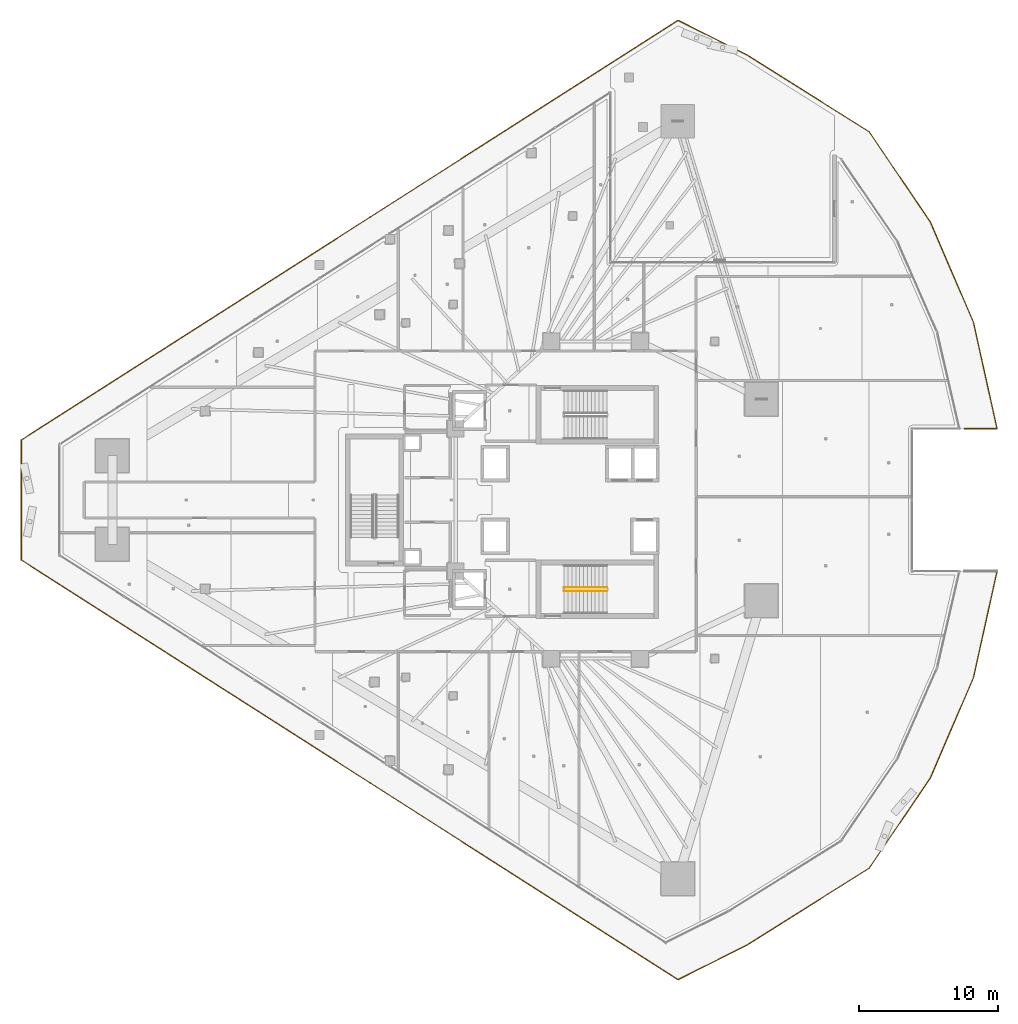
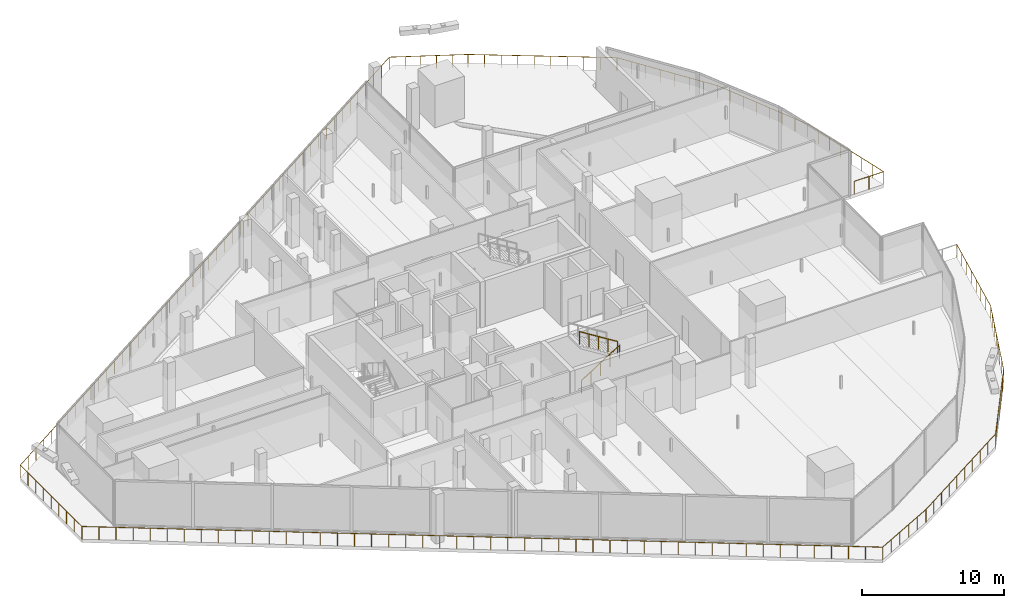
# One storey, part 43 of 47: 3 railings.
"""IFC4 building model written with IfcOpenShell, lengths in metres."""

from ifc_helpers import new_model, si_unit, direction, frame, origin, origin_2d, place, context, subcontext, project, spatial, circle, extrude, material, type_object, element, save


model = new_model("IFC4")

# Units and contexts
model_context = context("Model", 3, precision=1e-05, world=origin(), true_north=direction((0.0, 1.0)))
body_context = subcontext(model_context, "Body", "Model", "MODEL_VIEW")
ifc_project = project(units=[si_unit("LENGTHUNIT", "METRE"), si_unit("AREAUNIT", "SQUARE_METRE"), si_unit("VOLUMEUNIT", "CUBIC_METRE"), si_unit("PLANEANGLEUNIT", "RADIAN"), si_unit("MASSUNIT", "GRAM", prefix="KILO")], contexts=[model_context])

# Site, building, storey
site_placement = place(None, origin())
site = spatial("IfcSite", under=ifc_project, at=site_placement, CompositionType="ELEMENT")
building_placement = place(site_placement, origin())
building = spatial("IfcBuilding", under=site, at=building_placement, Name="Qorvath Tower", CompositionType="ELEMENT")
storey_placement = place(building_placement, frame((0.0, 0.0, 82.800048828125)))
storey = spatial("IfcBuildingStorey", under=building, at=storey_placement, Name="L18", CompositionType="ELEMENT", Elevation=82.800048828125)

# Railings
ifc_material_1 = material(Name="Laminated safety glass and stainless steel AISI 316", Category="steel")
railing_type_1 = type_object("IfcRailingType", Name="RL-EXT-GRD", PredefinedType="GUARDRAIL", material=ifc_material_1)
railing_1_placement = place(storey_placement, frame((8.577392578125, -5.140869140625, 0.0)))
element("IfcRailing", 1, at=railing_1_placement, inside=storey, type_object=railing_type_1, Name="Loggia Perimeter Guardrail L18-1.1", PredefinedType="GUARDRAIL", context=body_context, shape_type="SweptSolid", body=[
    extrude(circle(Radius=0.02392578125, at=origin_2d()), frame((0.0, 0.0, 1.09619140625), z_axis=(-0.216102863676, -0.976370601929, 0.0), x_axis=(0.976370601929, -0.216102863676, 0.0)), (0.0, 0.0, 1.0), 7.8720703125),
    extrude(circle(Radius=0.02392578125, at=origin_2d()), frame((-1.701171875, -7.68603515625, 1.09619140625), z_axis=(-0.395475792028, -0.918476400306, 0.0), x_axis=(0.918476400306, -0.395475792028, 0.0)), (0.0, 0.0, 1.0), 7.872314453125),
    extrude(circle(Radius=0.02392578125, at=origin_2d()), frame((-4.814453125, -14.91650390625, 1.09619140625), z_axis=(-0.560825516193, -0.827934019344, 0.0), x_axis=(0.827934019344, -0.560825516193, 0.0)), (0.0, 0.0, 1.0), 7.872314453125),
    extrude(circle(Radius=0.02392578125, at=origin_2d()), frame((-9.2294921875, -21.434326171875, 1.09619140625), z_axis=(-0.846502624732, -0.532384547411, 0.0), x_axis=(0.532384547411, -0.846502624732, 0.0)), (0.0, 0.0, 1.0), 10.468505859375),
    extrude(circle(Radius=0.02392578125, at=origin_2d()), frame((-18.091064453125, -27.007568359375, 1.09619140625), z_axis=(-0.894427191, -0.4472135955, 0.0), x_axis=(0.4472135955, -0.894427191, 0.0)), (0.0, 0.0, 1.0), 5.529541015625),
    extrude(circle(Radius=0.02392578125, at=origin_2d()), frame((-23.036865234375, -29.48046875, 1.09619140625), z_axis=(-0.84260457515, 0.538532756605, 0.0), x_axis=(-0.538532756605, -0.84260457515, 0.0)), (0.0, 0.0, 1.0), 56.252197265625),
    extrude(circle(Radius=0.02392578125, at=origin_2d()), frame((-70.435302734375, 0.813232421875, 1.09619140625), z_axis=(0.0, 1.0, 0.0), x_axis=(-1.0, 0.0, 0.0)), (0.0, 0.0, 1.0), 8.6552734375),
    extrude(circle(Radius=0.02392578125, at=origin_2d()), frame((-70.435302734375, 9.468505859375, 1.09619140625), z_axis=(0.84260457515, 0.538532756605, 0.0), x_axis=(-0.538532756605, 0.84260457515, 0.0)), (0.0, 0.0, 1.0), 56.252197265625),
    extrude(circle(Radius=0.02392578125, at=origin_2d()), frame((-23.036865234375, 39.76220703125, 1.09619140625), z_axis=(0.894427191, -0.4472135955, 0.0), x_axis=(0.4472135955, 0.894427191, 0.0)), (0.0, 0.0, 1.0), 5.529541015625),
    extrude(circle(Radius=0.02392578125, at=origin_2d()), frame((-18.091064453125, 37.289306640625, 1.09619140625), z_axis=(0.846502624732, -0.532384547411, 0.0), x_axis=(0.532384547411, 0.846502624732, 0.0)), (0.0, 0.0, 1.0), 10.468505859375),
    extrude(circle(Radius=0.02392578125, at=origin_2d()), frame((-9.2294921875, 31.716064453125, 1.09619140625), z_axis=(0.560825516193, -0.827934019344, 0.0), x_axis=(0.827934019344, 0.560825516193, 0.0)), (0.0, 0.0, 1.0), 7.872314453125),
    extrude(circle(Radius=0.02392578125, at=origin_2d()), frame((-4.814453125, 25.1982421875, 1.09619140625), z_axis=(0.395475792028, -0.918476400306, 0.0), x_axis=(0.918476400306, 0.395475792028, 0.0)), (0.0, 0.0, 1.0), 7.872314453125),
    extrude(circle(Radius=0.02392578125, at=origin_2d()), frame((-1.701171875, 17.9677734375, 1.09619140625), z_axis=(0.216102863676, -0.976370601929, 0.0), x_axis=(0.976370601929, 0.216102863676, 0.0)), (0.0, 0.0, 1.0), 7.8720703125),
    extrude(circle(Radius=0.02392578125, at=origin_2d()), frame((0.0, 10.28173828125, 1.09619140625), z_axis=(-1.0, 0.0, 0.0), x_axis=(0.0, -1.0, 0.0)), (0.0, 0.0, 1.0), 2.366455078125),
    extrude(circle(Radius=0.02099609375, at=origin_2d()), origin(), (0.0, 0.0, 1.0), 1.072021484375),
    extrude(circle(Radius=0.02099609375, at=origin_2d()), frame((-0.242919921875, -1.097900390625, 0.0)), (0.0, 0.0, 1.0), 1.072021484375),
    extrude(circle(Radius=0.02099609375, at=origin_2d()), frame((-0.486083984375, -2.196044921875, 0.0)), (0.0, 0.0, 1.0), 1.072021484375),
    extrude(circle(Radius=0.02099609375, at=origin_2d()), frame((-0.72900390625, -3.2939453125, 0.0)), (0.0, 0.0, 1.0), 1.072021484375),
    extrude(circle(Radius=0.02099609375, at=origin_2d()), frame((-0.97216796875, -4.39208984375, 0.0)), (0.0, 0.0, 1.0), 1.072021484375),
    extrude(circle(Radius=0.02099609375, at=origin_2d()), frame((-1.215087890625, -5.489990234375, 0.0)), (0.0, 0.0, 1.0), 1.072021484375),
    extrude(circle(Radius=0.02099609375, at=origin_2d()), frame((-1.458251953125, -6.588134765625, 0.0)), (0.0, 0.0, 1.0), 1.072021484375),
    extrude(circle(Radius=0.02099609375, at=origin_2d()), frame((-1.701171875, -7.68603515625, 0.0)), (0.0, 0.0, 1.0), 1.072021484375),
    extrude(circle(Radius=0.02099609375, at=origin_2d()), frame((-2.14599609375, -8.718994140625, 0.0)), (0.0, 0.0, 1.0), 1.072021484375),
    extrude(circle(Radius=0.02099609375, at=origin_2d()), frame((-2.590576171875, -9.751953125, 0.0)), (0.0, 0.0, 1.0), 1.072021484375),
    extrude(circle(Radius=0.02099609375, at=origin_2d()), frame((-3.035400390625, -10.784912109375, 0.0)), (0.0, 0.0, 1.0), 1.072021484375),
    extrude(circle(Radius=0.02099609375, at=origin_2d()), frame((-3.480224609375, -11.817626953125, 0.0)), (0.0, 0.0, 1.0), 1.072021484375),
    extrude(circle(Radius=0.02099609375, at=origin_2d()), frame((-3.925048828125, -12.8505859375, 0.0)), (0.0, 0.0, 1.0), 1.072021484375),
    extrude(circle(Radius=0.02099609375, at=origin_2d()), frame((-4.36962890625, -13.883544921875, 0.0)), (0.0, 0.0, 1.0), 1.072021484375),
    extrude(circle(Radius=0.02099609375, at=origin_2d()), frame((-4.814453125, -14.91650390625, 0.0)), (0.0, 0.0, 1.0), 1.072021484375),
    extrude(circle(Radius=0.02099609375, at=origin_2d()), frame((-5.445068359375, -15.84765625, 0.0)), (0.0, 0.0, 1.0), 1.072021484375),
    extrude(circle(Radius=0.02099609375, at=origin_2d()), frame((-6.075927734375, -16.77880859375, 0.0)), (0.0, 0.0, 1.0), 1.072021484375),
    extrude(circle(Radius=0.02099609375, at=origin_2d()), frame((-6.70654296875, -17.7099609375, 0.0)), (0.0, 0.0, 1.0), 1.072021484375),
    extrude(circle(Radius=0.02099609375, at=origin_2d()), frame((-7.33740234375, -18.640869140625, 0.0)), (0.0, 0.0, 1.0), 1.072021484375),
    extrude(circle(Radius=0.02099609375, at=origin_2d()), frame((-7.968017578125, -19.572021484375, 0.0)), (0.0, 0.0, 1.0), 1.072021484375),
    extrude(circle(Radius=0.02099609375, at=origin_2d()), frame((-8.598876953125, -20.503173828125, 0.0)), (0.0, 0.0, 1.0), 1.072021484375),
    extrude(circle(Radius=0.02099609375, at=origin_2d()), frame((-9.2294921875, -21.434326171875, 0.0)), (0.0, 0.0, 1.0), 1.072021484375),
    extrude(circle(Radius=0.02099609375, at=origin_2d()), frame((-10.214111328125, -22.053466796875, 0.0)), (0.0, 0.0, 1.0), 1.072021484375),
    extrude(circle(Radius=0.02099609375, at=origin_2d()), frame((-11.19873046875, -22.6728515625, 0.0)), (0.0, 0.0, 1.0), 1.072021484375),
    extrude(circle(Radius=0.02099609375, at=origin_2d()), frame((-12.183349609375, -23.2919921875, 0.0)), (0.0, 0.0, 1.0), 1.072021484375),
    extrude(circle(Radius=0.02099609375, at=origin_2d()), frame((-13.16796875, -23.911376953125, 0.0)), (0.0, 0.0, 1.0), 1.072021484375),
    extrude(circle(Radius=0.02099609375, at=origin_2d()), frame((-14.152587890625, -24.530517578125, 0.0)), (0.0, 0.0, 1.0), 1.072021484375),
    extrude(circle(Radius=0.02099609375, at=origin_2d()), frame((-15.13720703125, -25.14990234375, 0.0)), (0.0, 0.0, 1.0), 1.072021484375),
    extrude(circle(Radius=0.02099609375, at=origin_2d()), frame((-16.121826171875, -25.76904296875, 0.0)), (0.0, 0.0, 1.0), 1.072021484375),
    extrude(circle(Radius=0.02099609375, at=origin_2d()), frame((-17.1064453125, -26.388427734375, 0.0)), (0.0, 0.0, 1.0), 1.072021484375),
    extrude(circle(Radius=0.02099609375, at=origin_2d()), frame((-18.091064453125, -27.007568359375, 0.0)), (0.0, 0.0, 1.0), 1.072021484375),
    extrude(circle(Radius=0.02099609375, at=origin_2d()), frame((-19.080322265625, -27.502197265625, 0.0)), (0.0, 0.0, 1.0), 1.072021484375),
    extrude(circle(Radius=0.02099609375, at=origin_2d()), frame((-20.0693359375, -27.996826171875, 0.0)), (0.0, 0.0, 1.0), 1.072021484375),
    extrude(circle(Radius=0.02099609375, at=origin_2d()), frame((-21.05859375, -28.4912109375, 0.0)), (0.0, 0.0, 1.0), 1.072021484375),
    extrude(circle(Radius=0.02099609375, at=origin_2d()), frame((-22.047607421875, -28.98583984375, 0.0)), (0.0, 0.0, 1.0), 1.072021484375),
    extrude(circle(Radius=0.02099609375, at=origin_2d()), frame((-23.036865234375, -29.48046875, 0.0)), (0.0, 0.0, 1.0), 1.072021484375),
    extrude(circle(Radius=0.02099609375, at=origin_2d()), frame((-24.04541015625, -28.8359375, 0.0)), (0.0, 0.0, 1.0), 1.072021484375),
    extrude(circle(Radius=0.02099609375, at=origin_2d()), frame((-25.0537109375, -28.19140625, 0.0)), (0.0, 0.0, 1.0), 1.072021484375),
    extrude(circle(Radius=0.02099609375, at=origin_2d()), frame((-26.062255859375, -27.546875, 0.0)), (0.0, 0.0, 1.0), 1.072021484375),
    extrude(circle(Radius=0.02099609375, at=origin_2d()), frame((-27.07080078125, -26.90234375, 0.0)), (0.0, 0.0, 1.0), 1.072021484375),
    extrude(circle(Radius=0.02099609375, at=origin_2d()), frame((-28.079345703125, -26.2578125, 0.0)), (0.0, 0.0, 1.0), 1.072021484375),
    extrude(circle(Radius=0.02099609375, at=origin_2d()), frame((-29.087646484375, -25.61328125, 0.0)), (0.0, 0.0, 1.0), 1.072021484375),
    extrude(circle(Radius=0.02099609375, at=origin_2d()), frame((-30.09619140625, -24.96875, 0.0)), (0.0, 0.0, 1.0), 1.072021484375),
    extrude(circle(Radius=0.02099609375, at=origin_2d()), frame((-31.104736328125, -24.323974609375, 0.0)), (0.0, 0.0, 1.0), 1.072021484375),
    extrude(circle(Radius=0.02099609375, at=origin_2d()), frame((-32.11328125, -23.679443359375, 0.0)), (0.0, 0.0, 1.0), 1.072021484375),
    extrude(circle(Radius=0.02099609375, at=origin_2d()), frame((-33.12158203125, -23.034912109375, 0.0)), (0.0, 0.0, 1.0), 1.072021484375),
    extrude(circle(Radius=0.02099609375, at=origin_2d()), frame((-34.130126953125, -22.390380859375, 0.0)), (0.0, 0.0, 1.0), 1.072021484375),
    extrude(circle(Radius=0.02099609375, at=origin_2d()), frame((-35.138671875, -21.745849609375, 0.0)), (0.0, 0.0, 1.0), 1.072021484375),
    extrude(circle(Radius=0.02099609375, at=origin_2d()), frame((-36.14697265625, -21.101318359375, 0.0)), (0.0, 0.0, 1.0), 1.072021484375),
    extrude(circle(Radius=0.02099609375, at=origin_2d()), frame((-37.155517578125, -20.456787109375, 0.0)), (0.0, 0.0, 1.0), 1.072021484375),
    extrude(circle(Radius=0.02099609375, at=origin_2d()), frame((-38.1640625, -19.812255859375, 0.0)), (0.0, 0.0, 1.0), 1.072021484375),
    extrude(circle(Radius=0.02099609375, at=origin_2d()), frame((-39.172607421875, -19.167724609375, 0.0)), (0.0, 0.0, 1.0), 1.072021484375),
    extrude(circle(Radius=0.02099609375, at=origin_2d()), frame((-40.180908203125, -18.523193359375, 0.0)), (0.0, 0.0, 1.0), 1.072021484375),
    extrude(circle(Radius=0.02099609375, at=origin_2d()), frame((-41.189453125, -17.878662109375, 0.0)), (0.0, 0.0, 1.0), 1.072021484375),
    extrude(circle(Radius=0.02099609375, at=origin_2d()), frame((-42.197998046875, -17.234130859375, 0.0)), (0.0, 0.0, 1.0), 1.072021484375),
    extrude(circle(Radius=0.02099609375, at=origin_2d()), frame((-43.206298828125, -16.589599609375, 0.0)), (0.0, 0.0, 1.0), 1.072021484375),
    extrude(circle(Radius=0.02099609375, at=origin_2d()), frame((-44.21484375, -15.945068359375, 0.0)), (0.0, 0.0, 1.0), 1.072021484375),
    extrude(circle(Radius=0.02099609375, at=origin_2d()), frame((-45.223388671875, -15.300537109375, 0.0)), (0.0, 0.0, 1.0), 1.072021484375),
    extrude(circle(Radius=0.02099609375, at=origin_2d()), frame((-46.23193359375, -14.656005859375, 0.0)), (0.0, 0.0, 1.0), 1.072021484375),
    extrude(circle(Radius=0.02099609375, at=origin_2d()), frame((-47.240234375, -14.01123046875, 0.0)), (0.0, 0.0, 1.0), 1.072021484375),
    extrude(circle(Radius=0.02099609375, at=origin_2d()), frame((-48.248779296875, -13.36669921875, 0.0)), (0.0, 0.0, 1.0), 1.072021484375),
    extrude(circle(Radius=0.02099609375, at=origin_2d()), frame((-49.25732421875, -12.72216796875, 0.0)), (0.0, 0.0, 1.0), 1.072021484375),
    extrude(circle(Radius=0.02099609375, at=origin_2d()), frame((-50.265869140625, -12.07763671875, 0.0)), (0.0, 0.0, 1.0), 1.072021484375),
    extrude(circle(Radius=0.02099609375, at=origin_2d()), frame((-51.274169921875, -11.43310546875, 0.0)), (0.0, 0.0, 1.0), 1.072021484375),
    extrude(circle(Radius=0.02099609375, at=origin_2d()), frame((-52.28271484375, -10.78857421875, 0.0)), (0.0, 0.0, 1.0), 1.072021484375),
    extrude(circle(Radius=0.02099609375, at=origin_2d()), frame((-53.291259765625, -10.14404296875, 0.0)), (0.0, 0.0, 1.0), 1.072021484375),
    extrude(circle(Radius=0.02099609375, at=origin_2d()), frame((-54.299560546875, -9.49951171875, 0.0)), (0.0, 0.0, 1.0), 1.072021484375),
    extrude(circle(Radius=0.02099609375, at=origin_2d()), frame((-55.30810546875, -8.85498046875, 0.0)), (0.0, 0.0, 1.0), 1.072021484375),
    extrude(circle(Radius=0.02099609375, at=origin_2d()), frame((-56.316650390625, -8.21044921875, 0.0)), (0.0, 0.0, 1.0), 1.072021484375),
    extrude(circle(Radius=0.02099609375, at=origin_2d()), frame((-57.3251953125, -7.56591796875, 0.0)), (0.0, 0.0, 1.0), 1.072021484375),
    extrude(circle(Radius=0.02099609375, at=origin_2d()), frame((-58.33349609375, -6.92138671875, 0.0)), (0.0, 0.0, 1.0), 1.072021484375),
    extrude(circle(Radius=0.02099609375, at=origin_2d()), frame((-59.342041015625, -6.27685546875, 0.0)), (0.0, 0.0, 1.0), 1.072021484375),
    extrude(circle(Radius=0.02099609375, at=origin_2d()), frame((-60.3505859375, -5.63232421875, 0.0)), (0.0, 0.0, 1.0), 1.072021484375),
    extrude(circle(Radius=0.02099609375, at=origin_2d()), frame((-61.35888671875, -4.98779296875, 0.0)), (0.0, 0.0, 1.0), 1.072021484375),
    extrude(circle(Radius=0.02099609375, at=origin_2d()), frame((-62.367431640625, -4.34326171875, 0.0)), (0.0, 0.0, 1.0), 1.072021484375),
    extrude(circle(Radius=0.02099609375, at=origin_2d()), frame((-63.3759765625, -3.698486328125, 0.0)), (0.0, 0.0, 1.0), 1.072021484375),
    extrude(circle(Radius=0.02099609375, at=origin_2d()), frame((-64.384521484375, -3.053955078125, 0.0)), (0.0, 0.0, 1.0), 1.072021484375),
    extrude(circle(Radius=0.02099609375, at=origin_2d()), frame((-65.392822265625, -2.409423828125, 0.0)), (0.0, 0.0, 1.0), 1.072021484375),
    extrude(circle(Radius=0.02099609375, at=origin_2d()), frame((-66.4013671875, -1.764892578125, 0.0)), (0.0, 0.0, 1.0), 1.072021484375),
    extrude(circle(Radius=0.02099609375, at=origin_2d()), frame((-67.409912109375, -1.120361328125, 0.0)), (0.0, 0.0, 1.0), 1.072021484375),
    extrude(circle(Radius=0.02099609375, at=origin_2d()), frame((-68.41845703125, -0.475830078125, 0.0)), (0.0, 0.0, 1.0), 1.072021484375),
    extrude(circle(Radius=0.02099609375, at=origin_2d()), frame((-69.4267578125, 0.168701171875, 0.0)), (0.0, 0.0, 1.0), 1.072021484375),
    extrude(circle(Radius=0.02099609375, at=origin_2d()), frame((-70.435302734375, 0.813232421875, 0.0)), (0.0, 0.0, 1.0), 1.072021484375),
    extrude(circle(Radius=0.02099609375, at=origin_2d()), frame((-70.435302734375, 1.89501953125, 0.0)), (0.0, 0.0, 1.0), 1.072021484375),
    extrude(circle(Radius=0.02099609375, at=origin_2d()), frame((-70.435302734375, 2.97705078125, 0.0)), (0.0, 0.0, 1.0), 1.072021484375),
    extrude(circle(Radius=0.02099609375, at=origin_2d()), frame((-70.435302734375, 4.05908203125, 0.0)), (0.0, 0.0, 1.0), 1.072021484375),
    extrude(circle(Radius=0.02099609375, at=origin_2d()), frame((-70.435302734375, 5.140869140625, 0.0)), (0.0, 0.0, 1.0), 1.072021484375),
    extrude(circle(Radius=0.02099609375, at=origin_2d()), frame((-70.435302734375, 6.22265625, 0.0)), (0.0, 0.0, 1.0), 1.072021484375),
    extrude(circle(Radius=0.02099609375, at=origin_2d()), frame((-70.435302734375, 7.3046875, 0.0)), (0.0, 0.0, 1.0), 1.072021484375),
    extrude(circle(Radius=0.02099609375, at=origin_2d()), frame((-70.435302734375, 8.38671875, 0.0)), (0.0, 0.0, 1.0), 1.072021484375),
    extrude(circle(Radius=0.02099609375, at=origin_2d()), frame((-70.435302734375, 9.468505859375, 0.0)), (0.0, 0.0, 1.0), 1.072021484375),
    extrude(circle(Radius=0.02099609375, at=origin_2d()), frame((-69.4267578125, 10.113037109375, 0.0)), (0.0, 0.0, 1.0), 1.072021484375),
    extrude(circle(Radius=0.02099609375, at=origin_2d()), frame((-68.41845703125, 10.757568359375, 0.0)), (0.0, 0.0, 1.0), 1.072021484375),
    extrude(circle(Radius=0.02099609375, at=origin_2d()), frame((-67.409912109375, 11.402099609375, 0.0)), (0.0, 0.0, 1.0), 1.072021484375),
    extrude(circle(Radius=0.02099609375, at=origin_2d()), frame((-66.4013671875, 12.046630859375, 0.0)), (0.0, 0.0, 1.0), 1.072021484375),
    extrude(circle(Radius=0.02099609375, at=origin_2d()), frame((-65.392822265625, 12.691162109375, 0.0)), (0.0, 0.0, 1.0), 1.072021484375),
    extrude(circle(Radius=0.02099609375, at=origin_2d()), frame((-64.384521484375, 13.335693359375, 0.0)), (0.0, 0.0, 1.0), 1.072021484375),
    extrude(circle(Radius=0.02099609375, at=origin_2d()), frame((-63.3759765625, 13.980224609375, 0.0)), (0.0, 0.0, 1.0), 1.072021484375),
    extrude(circle(Radius=0.02099609375, at=origin_2d()), frame((-62.367431640625, 14.625, 0.0)), (0.0, 0.0, 1.0), 1.072021484375),
    extrude(circle(Radius=0.02099609375, at=origin_2d()), frame((-61.35888671875, 15.26953125, 0.0)), (0.0, 0.0, 1.0), 1.072021484375),
    extrude(circle(Radius=0.02099609375, at=origin_2d()), frame((-60.3505859375, 15.9140625, 0.0)), (0.0, 0.0, 1.0), 1.072021484375),
    extrude(circle(Radius=0.02099609375, at=origin_2d()), frame((-59.342041015625, 16.55859375, 0.0)), (0.0, 0.0, 1.0), 1.072021484375),
    extrude(circle(Radius=0.02099609375, at=origin_2d()), frame((-58.33349609375, 17.203125, 0.0)), (0.0, 0.0, 1.0), 1.072021484375),
    extrude(circle(Radius=0.02099609375, at=origin_2d()), frame((-57.3251953125, 17.84765625, 0.0)), (0.0, 0.0, 1.0), 1.072021484375),
    extrude(circle(Radius=0.02099609375, at=origin_2d()), frame((-56.316650390625, 18.4921875, 0.0)), (0.0, 0.0, 1.0), 1.072021484375),
    extrude(circle(Radius=0.02099609375, at=origin_2d()), frame((-55.30810546875, 19.13671875, 0.0)), (0.0, 0.0, 1.0), 1.072021484375),
    extrude(circle(Radius=0.02099609375, at=origin_2d()), frame((-54.299560546875, 19.78125, 0.0)), (0.0, 0.0, 1.0), 1.072021484375),
    extrude(circle(Radius=0.02099609375, at=origin_2d()), frame((-53.291259765625, 20.42578125, 0.0)), (0.0, 0.0, 1.0), 1.072021484375),
    extrude(circle(Radius=0.02099609375, at=origin_2d()), frame((-52.28271484375, 21.0703125, 0.0)), (0.0, 0.0, 1.0), 1.072021484375),
    extrude(circle(Radius=0.02099609375, at=origin_2d()), frame((-51.274169921875, 21.71484375, 0.0)), (0.0, 0.0, 1.0), 1.072021484375),
    extrude(circle(Radius=0.02099609375, at=origin_2d()), frame((-50.265869140625, 22.359375, 0.0)), (0.0, 0.0, 1.0), 1.072021484375),
    extrude(circle(Radius=0.02099609375, at=origin_2d()), frame((-49.25732421875, 23.00390625, 0.0)), (0.0, 0.0, 1.0), 1.072021484375),
    extrude(circle(Radius=0.02099609375, at=origin_2d()), frame((-48.248779296875, 23.6484375, 0.0)), (0.0, 0.0, 1.0), 1.072021484375),
    extrude(circle(Radius=0.02099609375, at=origin_2d()), frame((-47.240234375, 24.29296875, 0.0)), (0.0, 0.0, 1.0), 1.072021484375),
    extrude(circle(Radius=0.02099609375, at=origin_2d()), frame((-46.23193359375, 24.937744140625, 0.0)), (0.0, 0.0, 1.0), 1.072021484375),
    extrude(circle(Radius=0.02099609375, at=origin_2d()), frame((-45.223388671875, 25.582275390625, 0.0)), (0.0, 0.0, 1.0), 1.072021484375),
    extrude(circle(Radius=0.02099609375, at=origin_2d()), frame((-44.21484375, 26.226806640625, 0.0)), (0.0, 0.0, 1.0), 1.072021484375),
    extrude(circle(Radius=0.02099609375, at=origin_2d()), frame((-43.206298828125, 26.871337890625, 0.0)), (0.0, 0.0, 1.0), 1.072021484375),
    extrude(circle(Radius=0.02099609375, at=origin_2d()), frame((-42.197998046875, 27.515869140625, 0.0)), (0.0, 0.0, 1.0), 1.072021484375),
    extrude(circle(Radius=0.02099609375, at=origin_2d()), frame((-41.189453125, 28.160400390625, 0.0)), (0.0, 0.0, 1.0), 1.072021484375),
    extrude(circle(Radius=0.02099609375, at=origin_2d()), frame((-40.180908203125, 28.804931640625, 0.0)), (0.0, 0.0, 1.0), 1.072021484375),
    extrude(circle(Radius=0.02099609375, at=origin_2d()), frame((-39.172607421875, 29.449462890625, 0.0)), (0.0, 0.0, 1.0), 1.072021484375),
    extrude(circle(Radius=0.02099609375, at=origin_2d()), frame((-38.1640625, 30.093994140625, 0.0)), (0.0, 0.0, 1.0), 1.072021484375),
    extrude(circle(Radius=0.02099609375, at=origin_2d()), frame((-37.155517578125, 30.738525390625, 0.0)), (0.0, 0.0, 1.0), 1.072021484375),
    extrude(circle(Radius=0.02099609375, at=origin_2d()), frame((-36.14697265625, 31.383056640625, 0.0)), (0.0, 0.0, 1.0), 1.072021484375),
    extrude(circle(Radius=0.02099609375, at=origin_2d()), frame((-35.138671875, 32.027587890625, 0.0)), (0.0, 0.0, 1.0), 1.072021484375),
    extrude(circle(Radius=0.02099609375, at=origin_2d()), frame((-34.130126953125, 32.672119140625, 0.0)), (0.0, 0.0, 1.0), 1.072021484375),
    extrude(circle(Radius=0.02099609375, at=origin_2d()), frame((-33.12158203125, 33.316650390625, 0.0)), (0.0, 0.0, 1.0), 1.072021484375),
    extrude(circle(Radius=0.02099609375, at=origin_2d()), frame((-32.11328125, 33.961181640625, 0.0)), (0.0, 0.0, 1.0), 1.072021484375),
    extrude(circle(Radius=0.02099609375, at=origin_2d()), frame((-31.104736328125, 34.605712890625, 0.0)), (0.0, 0.0, 1.0), 1.072021484375),
    extrude(circle(Radius=0.02099609375, at=origin_2d()), frame((-30.09619140625, 35.25048828125, 0.0)), (0.0, 0.0, 1.0), 1.072021484375),
    extrude(circle(Radius=0.02099609375, at=origin_2d()), frame((-29.087646484375, 35.89501953125, 0.0)), (0.0, 0.0, 1.0), 1.072021484375),
    extrude(circle(Radius=0.02099609375, at=origin_2d()), frame((-28.079345703125, 36.53955078125, 0.0)), (0.0, 0.0, 1.0), 1.072021484375),
    extrude(circle(Radius=0.02099609375, at=origin_2d()), frame((-27.07080078125, 37.18408203125, 0.0)), (0.0, 0.0, 1.0), 1.072021484375),
    extrude(circle(Radius=0.02099609375, at=origin_2d()), frame((-26.062255859375, 37.82861328125, 0.0)), (0.0, 0.0, 1.0), 1.072021484375),
    extrude(circle(Radius=0.02099609375, at=origin_2d()), frame((-25.0537109375, 38.47314453125, 0.0)), (0.0, 0.0, 1.0), 1.072021484375),
    extrude(circle(Radius=0.02099609375, at=origin_2d()), frame((-24.04541015625, 39.11767578125, 0.0)), (0.0, 0.0, 1.0), 1.072021484375),
    extrude(circle(Radius=0.02099609375, at=origin_2d()), frame((-23.036865234375, 39.76220703125, 0.0)), (0.0, 0.0, 1.0), 1.072021484375),
    extrude(circle(Radius=0.02099609375, at=origin_2d()), frame((-22.047607421875, 39.267578125, 0.0)), (0.0, 0.0, 1.0), 1.072021484375),
    extrude(circle(Radius=0.02099609375, at=origin_2d()), frame((-21.05859375, 38.77294921875, 0.0)), (0.0, 0.0, 1.0), 1.072021484375),
    extrude(circle(Radius=0.02099609375, at=origin_2d()), frame((-20.0693359375, 38.278564453125, 0.0)), (0.0, 0.0, 1.0), 1.072021484375),
    extrude(circle(Radius=0.02099609375, at=origin_2d()), frame((-19.080322265625, 37.783935546875, 0.0)), (0.0, 0.0, 1.0), 1.072021484375),
    extrude(circle(Radius=0.02099609375, at=origin_2d()), frame((-18.091064453125, 37.289306640625, 0.0)), (0.0, 0.0, 1.0), 1.072021484375),
    extrude(circle(Radius=0.02099609375, at=origin_2d()), frame((-17.1064453125, 36.670166015625, 0.0)), (0.0, 0.0, 1.0), 1.072021484375),
    extrude(circle(Radius=0.02099609375, at=origin_2d()), frame((-16.121826171875, 36.05078125, 0.0)), (0.0, 0.0, 1.0), 1.072021484375),
    extrude(circle(Radius=0.02099609375, at=origin_2d()), frame((-15.13720703125, 35.431640625, 0.0)), (0.0, 0.0, 1.0), 1.072021484375),
    extrude(circle(Radius=0.02099609375, at=origin_2d()), frame((-14.152587890625, 34.812255859375, 0.0)), (0.0, 0.0, 1.0), 1.072021484375),
    extrude(circle(Radius=0.02099609375, at=origin_2d()), frame((-13.16796875, 34.193115234375, 0.0)), (0.0, 0.0, 1.0), 1.072021484375),
    extrude(circle(Radius=0.02099609375, at=origin_2d()), frame((-12.183349609375, 33.57373046875, 0.0)), (0.0, 0.0, 1.0), 1.072021484375),
    extrude(circle(Radius=0.02099609375, at=origin_2d()), frame((-11.19873046875, 32.95458984375, 0.0)), (0.0, 0.0, 1.0), 1.072021484375),
    extrude(circle(Radius=0.02099609375, at=origin_2d()), frame((-10.214111328125, 32.335205078125, 0.0)), (0.0, 0.0, 1.0), 1.072021484375),
    extrude(circle(Radius=0.02099609375, at=origin_2d()), frame((-9.2294921875, 31.716064453125, 0.0)), (0.0, 0.0, 1.0), 1.072021484375),
    extrude(circle(Radius=0.02099609375, at=origin_2d()), frame((-8.598876953125, 30.784912109375, 0.0)), (0.0, 0.0, 1.0), 1.072021484375),
    extrude(circle(Radius=0.02099609375, at=origin_2d()), frame((-7.968017578125, 29.853759765625, 0.0)), (0.0, 0.0, 1.0), 1.072021484375),
    extrude(circle(Radius=0.02099609375, at=origin_2d()), frame((-7.33740234375, 28.922607421875, 0.0)), (0.0, 0.0, 1.0), 1.072021484375),
    extrude(circle(Radius=0.02099609375, at=origin_2d()), frame((-6.70654296875, 27.99169921875, 0.0)), (0.0, 0.0, 1.0), 1.072021484375),
    extrude(circle(Radius=0.02099609375, at=origin_2d()), frame((-6.075927734375, 27.060546875, 0.0)), (0.0, 0.0, 1.0), 1.072021484375),
    extrude(circle(Radius=0.02099609375, at=origin_2d()), frame((-5.445068359375, 26.12939453125, 0.0)), (0.0, 0.0, 1.0), 1.072021484375),
    extrude(circle(Radius=0.02099609375, at=origin_2d()), frame((-4.814453125, 25.1982421875, 0.0)), (0.0, 0.0, 1.0), 1.072021484375),
    extrude(circle(Radius=0.02099609375, at=origin_2d()), frame((-4.36962890625, 24.165283203125, 0.0)), (0.0, 0.0, 1.0), 1.072021484375),
    extrude(circle(Radius=0.02099609375, at=origin_2d()), frame((-3.925048828125, 23.13232421875, 0.0)), (0.0, 0.0, 1.0), 1.072021484375),
    extrude(circle(Radius=0.02099609375, at=origin_2d()), frame((-3.480224609375, 22.099365234375, 0.0)), (0.0, 0.0, 1.0), 1.072021484375),
    extrude(circle(Radius=0.02099609375, at=origin_2d()), frame((-3.035400390625, 21.066650390625, 0.0)), (0.0, 0.0, 1.0), 1.072021484375),
    extrude(circle(Radius=0.02099609375, at=origin_2d()), frame((-2.590576171875, 20.03369140625, 0.0)), (0.0, 0.0, 1.0), 1.072021484375),
    extrude(circle(Radius=0.02099609375, at=origin_2d()), frame((-2.14599609375, 19.000732421875, 0.0)), (0.0, 0.0, 1.0), 1.072021484375),
    extrude(circle(Radius=0.02099609375, at=origin_2d()), frame((-1.701171875, 17.9677734375, 0.0)), (0.0, 0.0, 1.0), 1.072021484375),
    extrude(circle(Radius=0.02099609375, at=origin_2d()), frame((-1.458251953125, 16.869873046875, 0.0)), (0.0, 0.0, 1.0), 1.072021484375),
    extrude(circle(Radius=0.02099609375, at=origin_2d()), frame((-1.215087890625, 15.771728515625, 0.0)), (0.0, 0.0, 1.0), 1.072021484375),
    extrude(circle(Radius=0.02099609375, at=origin_2d()), frame((-0.97216796875, 14.673828125, 0.0)), (0.0, 0.0, 1.0), 1.072021484375),
    extrude(circle(Radius=0.02099609375, at=origin_2d()), frame((-0.72900390625, 13.57568359375, 0.0)), (0.0, 0.0, 1.0), 1.072021484375),
    extrude(circle(Radius=0.02099609375, at=origin_2d()), frame((-0.486083984375, 12.477783203125, 0.0)), (0.0, 0.0, 1.0), 1.072021484375),
    extrude(circle(Radius=0.02099609375, at=origin_2d()), frame((-0.242919921875, 11.379638671875, 0.0)), (0.0, 0.0, 1.0), 1.072021484375),
    extrude(circle(Radius=0.02099609375, at=origin_2d()), frame((0.0, 10.28173828125, 0.0)), (0.0, 0.0, 1.0), 1.072021484375),
    extrude(circle(Radius=0.02099609375, at=origin_2d()), frame((-1.18310546875, 10.28173828125, 0.0)), (0.0, 0.0, 1.0), 1.072021484375),
    extrude(circle(Radius=0.02099609375, at=origin_2d()), frame((-2.366455078125, 10.28173828125, 0.0)), (0.0, 0.0, 1.0), 1.072021484375),
])
ifc_material_2 = material(Name="Painted galvanised steel", Category="steel")
railing_type_2 = type_object("IfcRailingType", Name="RL-STR-GRD", PredefinedType="GUARDRAIL", material=ifc_material_2)
railing_2_placement = place(storey_placement, frame((-22.669921875, -6.570068359375, 0.175048828125)))
element("IfcRailing", 2, at=railing_2_placement, inside=storey, type_object=railing_type_2, Name="L18 TS2 stair guard 1", PredefinedType="GUARDRAIL", context=body_context, shape_type="SweptSolid", body=[
    extrude(circle(Radius=0.02392578125, at=origin_2d()), frame((0.0, 0.0, 1.076171875), z_axis=(0.848009633417, 0.0, 0.529980812513), x_axis=(0.0, 1.0, 0.0)), (0.0, 0.0, 1.0), 3.6318359375),
    extrude(circle(Radius=0.02099609375, at=origin_2d()), origin(), (0.0, 0.0, 1.0), 1.052001953125),
    extrude(circle(Radius=0.02099609375, at=origin_2d()), frame((0.77001953125, 0.0, 0.481201171875)), (0.0, 0.0, 1.0), 1.052001953125),
    extrude(circle(Radius=0.02099609375, at=origin_2d()), frame((1.5400390625, 0.0, 0.96240234375)), (0.0, 0.0, 1.0), 1.052001953125),
    extrude(circle(Radius=0.02099609375, at=origin_2d()), frame((2.309814453125, 0.0, 1.443603515625)), (0.0, 0.0, 1.0), 1.052001953125),
    extrude(circle(Radius=0.02099609375, at=origin_2d()), frame((3.079833984375, 0.0, 1.9248046875)), (0.0, 0.0, 1.0), 1.052001953125),
])
railing_3_placement = place(storey_placement, frame((-19.590087890625, -6.320068359375, 2.27490234375)))
element("IfcRailing", 3, at=railing_3_placement, inside=storey, type_object=railing_type_2, Name="L18 TS2 stair guard 3", PredefinedType="GUARDRAIL", context=body_context, shape_type="SweptSolid", body=[
    extrude(circle(Radius=0.02392578125, at=origin_2d()), frame((0.0, 0.0, 1.076171875), z_axis=(-0.847979421464, 0.0, 0.530029150871), x_axis=(0.0, -1.0, 0.0)), (0.0, 0.0, 1.0), 3.632080078125),
    extrude(circle(Radius=0.02099609375, at=origin_2d()), origin(), (0.0, 0.0, 1.0), 1.052001953125),
    extrude(circle(Radius=0.02099609375, at=origin_2d()), frame((-0.77001953125, 0.0, 0.481201171875)), (0.0, 0.0, 1.0), 1.052001953125),
    extrude(circle(Radius=0.02099609375, at=origin_2d()), frame((-1.5400390625, 0.0, 0.96240234375)), (0.0, 0.0, 1.0), 1.052001953125),
    extrude(circle(Radius=0.02099609375, at=origin_2d()), frame((-2.309814453125, 0.0, 1.44384765625)), (0.0, 0.0, 1.0), 1.052001953125),
    extrude(circle(Radius=0.02099609375, at=origin_2d()), frame((-3.079833984375, 0.0, 1.925048828125)), (0.0, 0.0, 1.0), 1.052001953125),
])

save(model, "model.ifc")
